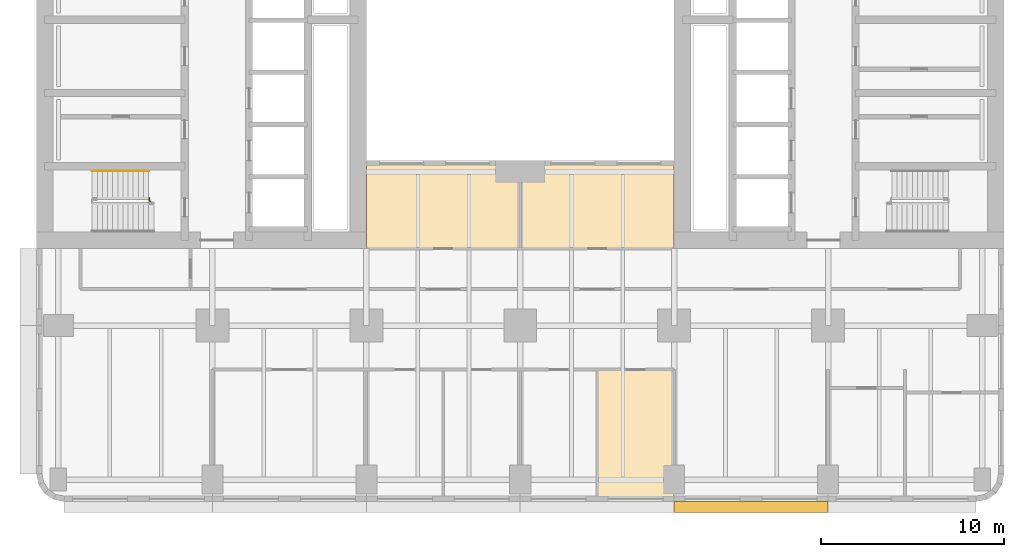
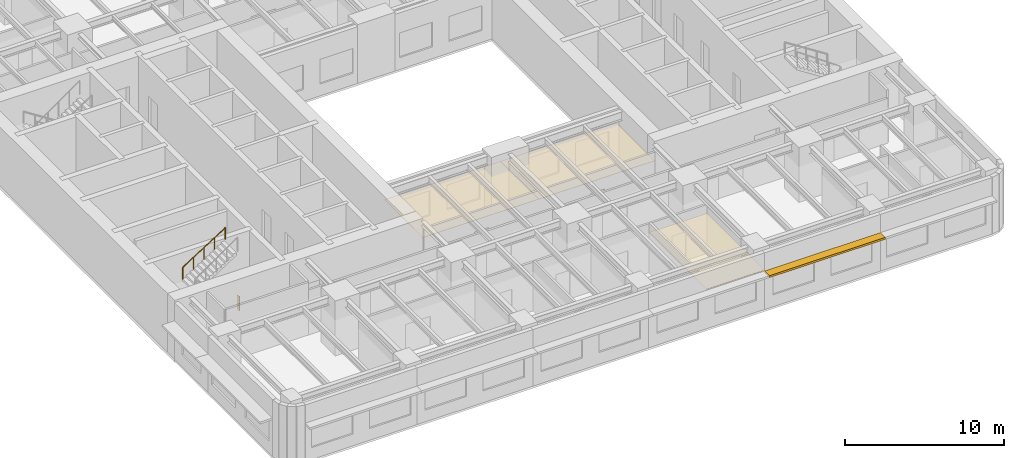
# One storey, part 10 of 14: 3 coverings, 2 railings, 1 shading device.
"""IFC4 building model written with IfcOpenShell, lengths in metres."""

from ifc_helpers import new_model, si_unit, direction, frame, origin, origin_2d, place, context, subcontext, project, spatial, polyline, rectangle, circle, outline, extrude, material, layer, layer_set, type_object, element, save


model = new_model("IFC4")

# Units and contexts
model_context = context("Model", 3, precision=1e-05, world=origin(), true_north=direction((0.0, 1.0)))
body_context = subcontext(model_context, "Body", "Model", "MODEL_VIEW")
ifc_project = project(units=[si_unit("LENGTHUNIT", "METRE"), si_unit("AREAUNIT", "SQUARE_METRE"), si_unit("VOLUMEUNIT", "CUBIC_METRE"), si_unit("PLANEANGLEUNIT", "RADIAN"), si_unit("MASSUNIT", "GRAM", prefix="KILO")], contexts=[model_context])

# Site, building, storey
site_placement = place(None, origin())
site = spatial("IfcSite", under=ifc_project, at=site_placement, CompositionType="ELEMENT")
building_placement = place(site_placement, origin())
building = spatial("IfcBuilding", under=site, at=building_placement, Name="Claustro Exchange Tower", CompositionType="ELEMENT")
storey_placement = place(building_placement, frame((0.0, 0.0, 54.89990234375)))
storey = spatial("IfcBuildingStorey", under=building, at=storey_placement, Name="L12", CompositionType="ELEMENT", Elevation=54.89990234375)

# Coverings
ifc_material_1 = material(Name="Gypsum board ceiling", Category="gypsum board")
ifc_layer_1 = layer(ifc_material_1, 0.02490234375)
ifc_layer_set_1 = layer_set([ifc_layer_1], Name="Gypsum board ceiling")
covering_type = type_object("IfcCoveringType", Name="CL2 plasterboard ceiling", PredefinedType="CEILING", material=ifc_layer_set_1)
covering_1_placement = place(storey_placement, frame((0.0, 0.0, 3.0)))
element("IfcCovering", 1, at=covering_1_placement, inside=storey, type_object=covering_type, Name="Ceiling CL2 L12-07", PredefinedType="CEILING", context=body_context, shape_type="SweptSolid", body=[
    extrude(outline(polyline([(29.39990234375, -1.199951171875), (33.60009765625, -1.199951171875), (33.60009765625, 6.0), (29.39990234375, 6.0), (29.39990234375, -1.199951171875)])), origin(), (0.0, 0.0, 1.0), 0.025146484375),
])
covering_2_placement = place(storey_placement, frame((0.0, 0.0, 3.0)))
element("IfcCovering", 2, at=covering_2_placement, inside=storey, type_object=covering_type, Name="Ceiling CL2 L12-11", PredefinedType="CEILING", context=body_context, shape_type="SweptSolid", body=[
    extrude(outline(polyline([(16.800048828125, 17.39990234375), (16.800048828125, 12.60009765625), (25.199951171875, 12.60009765625), (25.199951171875, 17.39990234375), (16.800048828125, 17.39990234375)])), origin(), (0.0, 0.0, 1.0), 0.025146484375),
])
covering_3_placement = place(storey_placement, frame((0.0, 0.0, 3.0)))
element("IfcCovering", 3, at=covering_3_placement, inside=storey, type_object=covering_type, Name="Ceiling CL2 L12-12", PredefinedType="CEILING", context=body_context, shape_type="SweptSolid", body=[
    extrude(outline(polyline([(33.60009765625, 17.39990234375), (25.199951171875, 17.39990234375), (25.199951171875, 12.60009765625), (33.60009765625, 12.60009765625), (33.60009765625, 17.39990234375)])), origin(), (0.0, 0.0, 1.0), 0.025146484375),
])

# Railings
ifc_material_2 = material(Name="Steel balustrade, painted", Category="steel")
railing_type_1 = type_object("IfcRailingType", Name="GR2 1100 steel stair guard", PredefinedType="GUARDRAIL", material=ifc_material_2)
railing_1_placement = place(storey_placement, frame((5.0, 15.169921875, 0.0)))
element("IfcRailing", 4, at=railing_1_placement, inside=storey, type_object=railing_type_1, Name="Stair guard GR2 STWA L12", PredefinedType="GUARDRAIL", context=body_context, shape_type="SweptSolid", body=[
    extrude(circle(Radius=0.02392578125, at=origin_2d()), frame((0.0, 0.0, 1.076171875), z_axis=(0.0, 1.0, 0.0), x_axis=(-1.0, 0.0, 0.0)), (0.0, 0.0, 1.0), 0.030029296875),
    extrude(circle(Radius=0.02392578125, at=origin_2d()), frame((0.0, 0.030029296875, 1.076171875), z_axis=(-1.0, 0.0, 0.0), x_axis=(0.0, -1.0, 0.0)), (0.0, 0.0, 1.0), 0.054931640625),
    extrude(circle(Radius=0.02392578125, at=origin_2d()), frame((-0.054931640625, 0.030029296875, 1.076171875), z_axis=(0.0, 1.0, 0.0), x_axis=(-1.0, 0.0, 0.0)), (0.0, 0.0, 1.0), 0.179931640625),
    extrude(circle(Radius=0.02099609375, at=origin_2d()), origin(), (0.0, 0.0, 1.0), 1.052001953125),
    extrude(circle(Radius=0.02099609375, at=origin_2d()), frame((0.0, 0.030029296875, 0.0)), (0.0, 0.0, 1.0), 1.052001953125),
    extrude(circle(Radius=0.02099609375, at=origin_2d()), frame((-0.054931640625, 0.030029296875, 0.0)), (0.0, 0.0, 1.0), 1.052001953125),
    extrude(circle(Radius=0.02099609375, at=origin_2d()), frame((-0.054931640625, 0.2099609375, 0.0)), (0.0, 0.0, 1.0), 1.052001953125),
])
ifc_material_3 = material(Name="Stainless steel tube", Category="steel")
railing_type_2 = type_object("IfcRailingType", Name="HR1 900 stair handrail", PredefinedType="HANDRAIL", material=ifc_material_3)
railing_2_placement = place(storey_placement, frame((1.840087890625, 16.840087890625, 2.52001953125)))
element("IfcRailing", 5, at=railing_2_placement, inside=storey, type_object=railing_type_2, Name="Handrail HR1 stair STWA L12", PredefinedType="HANDRAIL", context=body_context, shape_type="SweptSolid", body=[
    extrude(circle(Radius=0.02392578125, at=origin_2d()), frame((0.0, 0.0, 0.8759765625), z_axis=(0.841167642724, 0.0, 0.540774441735), x_axis=(0.0, 1.0, 0.0)), (0.0, 0.0, 1.0), 3.661376953125),
    extrude(circle(Radius=0.02099609375, at=origin_2d()), origin(), (0.0, 0.0, 1.0), 0.851806640625),
    extrude(circle(Radius=0.02099609375, at=origin_2d()), frame((0.77001953125, 0.0, 0.4951171875)), (0.0, 0.0, 1.0), 0.851806640625),
    extrude(circle(Radius=0.02099609375, at=origin_2d()), frame((1.5400390625, 0.0, 0.989990234375)), (0.0, 0.0, 1.0), 0.851806640625),
    extrude(circle(Radius=0.02099609375, at=origin_2d()), frame((2.309814453125, 0.0, 1.48486328125)), (0.0, 0.0, 1.0), 0.851806640625),
    extrude(circle(Radius=0.02099609375, at=origin_2d()), frame((3.079833984375, 0.0, 1.97998046875)), (0.0, 0.0, 1.0), 0.851806640625),
])

# Shading device
ifc_material_4 = material(Name="Concrete HA-40 (C40/50), precast, white cement, acid-etched", Category="concrete")
ifc_layer_2 = layer(ifc_material_4, 0.14990234375)
ifc_layer_set_2 = layer_set([ifc_layer_2], Name="Concrete HA-40 (C40/50), precast, white cement, acid-etched")
shading_device_type = type_object("IfcShadingDeviceType", Name="SS1 600 precast concrete SUNSHADE", PredefinedType="SHUTTER", material=ifc_layer_set_2)
shading_device_placement = place(storey_placement, frame((37.800048828125, -1.5, 2.800048828125), z_axis=(0.0, 0.0, 1.0), x_axis=(-1.0, 0.0, 0.0)))
element("IfcShadingDevice", 6, at=shading_device_placement, inside=storey, type_object=shading_device_type, Name="Precast SUNSHADE SS1 L12", PredefinedType="SHUTTER", context=body_context, shape_type="SweptSolid", body=[
    extrude(rectangle(XDim=8.39990234375, YDim=0.60009765625, at=origin_2d()), origin(), (0.0, 0.0, 1.0), 0.14990234375),
])

save(model, "model.ifc")
